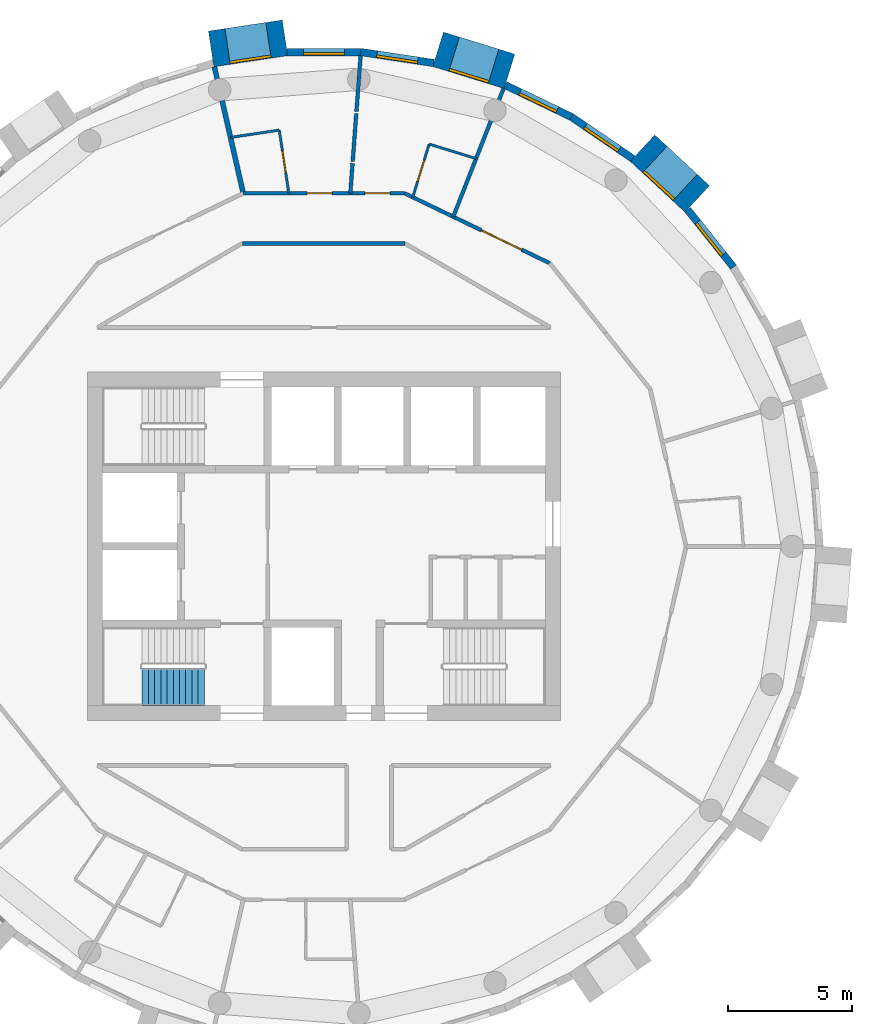
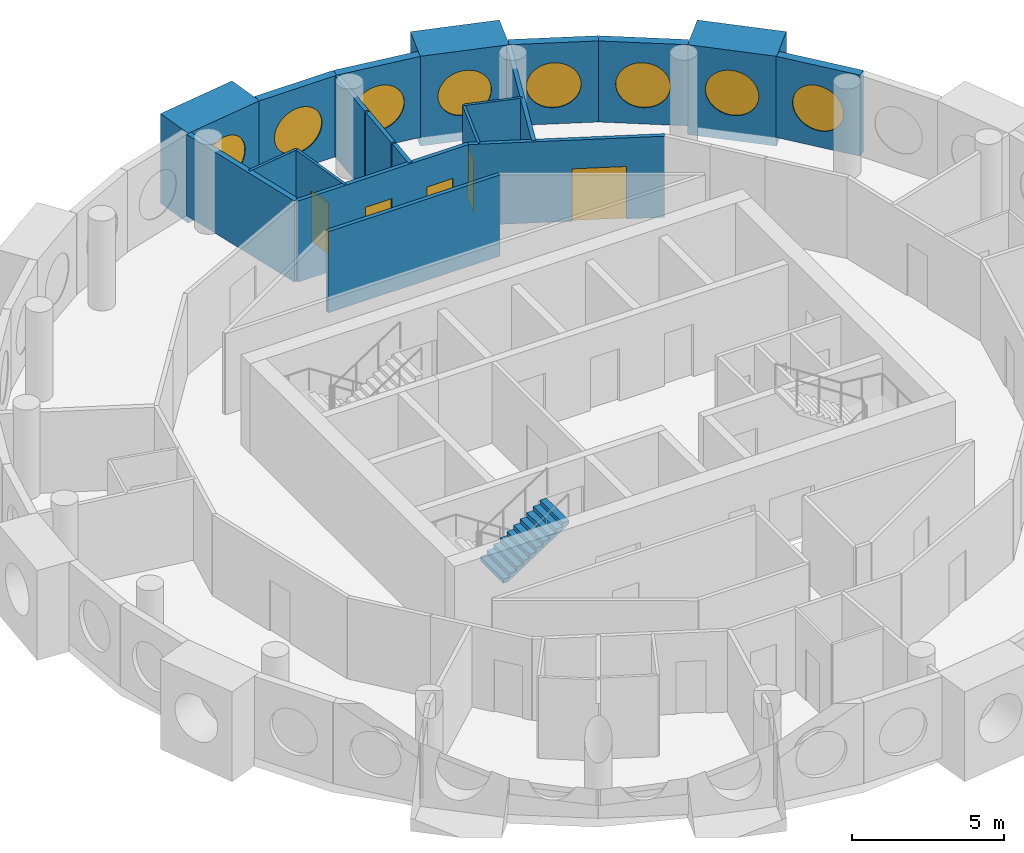
# One storey, part 11 of 13: 20 walls, 8 windows, 5 doors, 1 stair flight, 13 openings, 1 element without a shape of its own.
"""IFC4 building model written with IfcOpenShell, lengths in metres."""

from ifc_helpers import new_model, si_unit, direction, frame, frame_2d, origin, origin_2d, place, context, subcontext, project, spatial, polyline, rectangle, circle, outline, extrude, material, layer, layer_set, type_object, element, fill, aggregate, save


model = new_model("IFC4")

# Units and contexts
model_context = context("Model", 3, precision=1e-05, world=origin(), true_north=direction((0.0, 1.0)))
body_context = subcontext(model_context, "Body", "Model", "MODEL_VIEW")
ifc_project = project(units=[si_unit("LENGTHUNIT", "METRE"), si_unit("AREAUNIT", "SQUARE_METRE"), si_unit("VOLUMEUNIT", "CUBIC_METRE"), si_unit("PLANEANGLEUNIT", "RADIAN"), si_unit("MASSUNIT", "GRAM", prefix="KILO")], contexts=[model_context])

# Site, building, storey
site_placement = place(None, origin())
site = spatial("IfcSite", under=ifc_project, at=site_placement, CompositionType="ELEMENT")
building_placement = place(site_placement, origin())
building = spatial("IfcBuilding", under=site, at=building_placement, Name="Tracery Tower", CompositionType="ELEMENT")
storey_placement = place(building_placement, frame((0.0, 0.0, 298.199951171875)))
storey = spatial("IfcBuildingStorey", under=building, at=storey_placement, Name="L77", CompositionType="ELEMENT", Elevation=298.199951171875)

# Wall, opening, window
ifc_material_1 = material(Name="Precast concrete C50/60", Category="concrete")
ifc_layer_1 = layer(ifc_material_1, 1.449951171875)
ifc_layer_set_1 = layer_set([ifc_layer_1], Name="Deep-set bay unit 3000 x 3600, slab edge 350")
wall_type_1 = type_object("IfcWallType", Name="Deep-set bay unit 3000 x 3600, slab edge 350", PredefinedType="ELEMENTEDWALL", material=ifc_layer_set_1)
wall_1_placement = place(storey_placement, frame((15.0029296875, 13.964111328125, -0.349853515625), z_axis=(0.0, 0.0, 1.0), x_axis=(-0.733022439167, 0.680204457261, 0.0)))
wall_1 = element("IfcWall", 1, at=wall_1_placement, inside=storey, type_object=wall_type_1, Name="Deep-set bay unit 6 at L77", PredefinedType="ELEMENTEDWALL", context=body_context, shape_type="SweptSolid", body=[
    extrude(rectangle(XDim=2.999755859375, YDim=1.449951171875, at=frame_2d((1.5, 0.0))), origin(), (0.0, 0.0, 1.0), 3.599853515625),
])
opening_1_placement = place(wall_1_placement, frame((1.5, 0.0, 1.89990234375)))
opening_1 = element("IfcOpeningElement", 2, at=opening_1_placement, cuts=wall_1, Name="Opening WN1", PredefinedType="OPENING", context=body_context, shape_type="SweptSolid", body=[
    extrude(circle(Radius=0.9000244140625, at=origin_2d()), frame((0.0, 0.73486328125, 0.0), z_axis=(0.0, -1.0, 0.0), x_axis=(1.0, 0.0, 0.0)), (0.0, 0.0, 1.0), 1.469970703125),
])
ifc_material_2 = material(Name="Aluminium frame with tinted double glazing", Category="aluminium")
window_type = type_object("IfcWindowType", Name="Round window 1800", PartitioningType="SINGLE_PANEL", PredefinedType="WINDOW", material=ifc_material_2)
window_1_placement = place(opening_1_placement, origin())
window_1 = element("IfcWindow", 3, at=window_1_placement, inside=storey, type_object=window_type, Name="Round window 6 at L77", OverallHeight=1.800048828125, OverallWidth=1.800048828125, PartitioningType="SINGLE_PANEL", PredefinedType="WINDOW", context=body_context, shape_type="SweptSolid", body=[
    extrude(circle(Radius=0.9000244140625, at=origin_2d()), frame((0.0, 0.69482421875, 0.0), z_axis=(0.0, -1.0, 0.0), x_axis=(1.0, 0.0, 0.0)), (0.0, 0.0, 1.0), 0.10009765625),
])
fill(opening_1, window_1)

wall_2_placement = place(storey_placement, frame((7.45849609375, 19.0908203125, -0.349853515625), z_axis=(0.0, 0.0, 1.0), x_axis=(-0.955571139978, 0.294760574774, 0.0)))
wall_2 = element("IfcWall", 4, at=wall_2_placement, inside=storey, type_object=wall_type_1, Name="Deep-set bay unit 9 at L77", PredefinedType="ELEMENTEDWALL", context=body_context, shape_type="SweptSolid", body=[
    extrude(rectangle(XDim=3.0, YDim=1.449951171875, at=frame_2d((1.5, 0.0))), origin(), (0.0, 0.0, 1.0), 3.599853515625),
])
opening_2_placement = place(wall_2_placement, frame((1.5, 0.0, 1.89990234375)))
opening_2 = element("IfcOpeningElement", 5, at=opening_2_placement, cuts=wall_2, Name="Opening WN1", PredefinedType="OPENING", context=body_context, shape_type="SweptSolid", body=[
    extrude(circle(Radius=0.9000244140625, at=origin_2d()), frame((0.0, 0.73486328125, 0.0), z_axis=(0.0, -1.0, 0.0), x_axis=(1.0, 0.0, 0.0)), (0.0, 0.0, 1.0), 1.469970703125),
])
window_2_placement = place(opening_2_placement, origin())
window_2 = element("IfcWindow", 6, at=window_2_placement, inside=storey, type_object=window_type, Name="Round window 9 at L77", OverallHeight=1.800048828125, OverallWidth=1.800048828125, PartitioningType="SINGLE_PANEL", PredefinedType="WINDOW", context=body_context, shape_type="SweptSolid", body=[
    extrude(circle(Radius=0.9000244140625, at=origin_2d()), frame((0.0, 0.69482421875, 0.0), z_axis=(0.0, -1.0, 0.0), x_axis=(1.0, 0.0, 0.0)), (0.0, 0.0, 1.0), 0.10009765625),
])
fill(opening_2, window_2)

wall_3_placement = place(storey_placement, frame((-1.563232421875, 20.436279296875, -0.349853515625), z_axis=(0.0, 0.0, 1.0), x_axis=(-0.988836445254, -0.149004981587, 0.0)))
wall_3 = element("IfcWall", 7, at=wall_3_placement, inside=storey, type_object=wall_type_1, Name="Deep-set bay unit 12 at L77", PredefinedType="ELEMENTEDWALL", context=body_context, shape_type="SweptSolid", body=[
    extrude(rectangle(XDim=3.0, YDim=1.449951171875, at=frame_2d((1.5, 0.0))), origin(), (0.0, 0.0, 1.0), 3.599853515625),
])
opening_3_placement = place(wall_3_placement, frame((1.5, 0.0, 1.89990234375)))
opening_3 = element("IfcOpeningElement", 8, at=opening_3_placement, cuts=wall_3, Name="Opening WN1", PredefinedType="OPENING", context=body_context, shape_type="SweptSolid", body=[
    extrude(circle(Radius=0.9000244140625, at=origin_2d()), frame((0.0, 0.73486328125, 0.0), z_axis=(0.0, -1.0, 0.0), x_axis=(1.0, 0.0, 0.0)), (0.0, 0.0, 1.0), 1.469970703125),
])
window_3_placement = place(opening_3_placement, origin())
window_3 = element("IfcWindow", 9, at=window_3_placement, inside=storey, type_object=window_type, Name="Round window 12 at L77", OverallHeight=1.800048828125, OverallWidth=1.800048828125, PartitioningType="SINGLE_PANEL", PredefinedType="WINDOW", context=body_context, shape_type="SweptSolid", body=[
    extrude(circle(Radius=0.9000244140625, at=origin_2d()), frame((0.0, 0.69482421875, 0.0), z_axis=(0.0, -1.0, 0.0), x_axis=(1.0, 0.0, 0.0)), (0.0, 0.0, 1.0), 0.10009765625),
])
fill(opening_3, window_3)

ifc_material_3 = material(Name="Precast concrete C50/60", Category="concrete")
ifc_layer_2 = layer(ifc_material_3, 0.300048828125)
ifc_layer_set_2 = layer_set([ifc_layer_2], Name="Facade panel 3000 x 3250")
wall_type_2 = type_object("IfcWallType", Name="Facade panel 3000 x 3250", PredefinedType="SOLIDWALL", material=ifc_layer_set_2)
wall_4_placement = place(storey_placement, frame((16.460205078125, 11.222412109375, 0.0), z_axis=(0.0, 0.0, 1.0), x_axis=(-0.623498236992, 0.781824755599, 0.0)))
wall_4 = element("IfcWall", 10, at=wall_4_placement, inside=storey, type_object=wall_type_2, Name="Facade panel 5 at L77", PredefinedType="SOLIDWALL", context=body_context, shape_type="SweptSolid", body=[
    extrude(rectangle(XDim=2.962158203125, YDim=0.300048828125, at=frame_2d((1.48095703125, 0.0))), origin(), (0.0, 0.0, 1.0), 3.25),
])
opening_4_placement = place(wall_4_placement, frame((1.48095703125, 0.0, 1.5498046875)))
opening_4 = element("IfcOpeningElement", 11, at=opening_4_placement, cuts=wall_4, Name="Opening WN1", PredefinedType="OPENING", context=body_context, shape_type="SweptSolid", body=[
    extrude(circle(Radius=0.9000244140625, at=origin_2d()), frame((0.0, 0.159912109375, 0.0), z_axis=(0.0, -1.0, 0.0), x_axis=(1.0, 0.0, 0.0)), (0.0, 0.0, 1.0), 0.320068359375),
])
window_4_placement = place(opening_4_placement, origin())
window_4 = element("IfcWindow", 12, at=window_4_placement, inside=storey, type_object=window_type, Name="Round window 5 at L77", OverallHeight=1.800048828125, OverallWidth=1.800048828125, PartitioningType="SINGLE_PANEL", PredefinedType="WINDOW", context=body_context, shape_type="SweptSolid", body=[
    extrude(circle(Radius=0.9000244140625, at=origin_2d()), frame((0.0, 0.1201171875, 0.0), z_axis=(0.0, -1.0, 0.0), x_axis=(1.0, 0.0, 0.0)), (0.0, 0.0, 1.0), 0.10009765625),
])
fill(opening_4, window_4)

wall_5_placement = place(storey_placement, frame((12.408447265625, 15.583984375, 0.0), z_axis=(0.0, 0.0, 1.0), x_axis=(-0.826236061068, 0.563324037646, 0.0)))
wall_5 = element("IfcWall", 13, at=wall_5_placement, inside=storey, type_object=wall_type_2, Name="Facade panel 7 at L77", PredefinedType="SOLIDWALL", context=body_context, shape_type="SweptSolid", body=[
    extrude(rectangle(XDim=2.962158203125, YDim=0.300048828125, at=frame_2d((1.48095703125, 0.0))), origin(), (0.0, 0.0, 1.0), 3.25),
])
opening_5_placement = place(wall_5_placement, frame((1.48095703125, 0.0, 1.5498046875)))
opening_5 = element("IfcOpeningElement", 14, at=opening_5_placement, cuts=wall_5, Name="Opening WN1", PredefinedType="OPENING", context=body_context, shape_type="SweptSolid", body=[
    extrude(circle(Radius=0.9000244140625, at=origin_2d()), frame((0.0, 0.159912109375, 0.0), z_axis=(0.0, -1.0, 0.0), x_axis=(1.0, 0.0, 0.0)), (0.0, 0.0, 1.0), 0.320068359375),
])
window_5_placement = place(opening_5_placement, origin())
window_5 = element("IfcWindow", 15, at=window_5_placement, inside=storey, type_object=window_type, Name="Round window 7 at L77", OverallHeight=1.800048828125, OverallWidth=1.800048828125, PartitioningType="SINGLE_PANEL", PredefinedType="WINDOW", context=body_context, shape_type="SweptSolid", body=[
    extrude(circle(Radius=0.9000244140625, at=origin_2d()), frame((0.0, 0.1201171875, 0.0), z_axis=(0.0, -1.0, 0.0), x_axis=(1.0, 0.0, 0.0)), (0.0, 0.0, 1.0), 0.10009765625),
])
fill(opening_5, window_5)

wall_6_placement = place(storey_placement, frame((9.9609375, 17.252685546875, 0.0), z_axis=(0.0, 0.0, 1.0), x_axis=(-0.90095513435, 0.433912255978, 0.0)))
wall_6 = element("IfcWall", 16, at=wall_6_placement, inside=storey, type_object=wall_type_2, Name="Facade panel 8 at L77", PredefinedType="SOLIDWALL", context=body_context, shape_type="SweptSolid", body=[
    extrude(rectangle(XDim=2.96240234375, YDim=0.300048828125, at=frame_2d((1.481201171875, 0.0))), origin(), (0.0, 0.0, 1.0), 3.25),
])
opening_6_placement = place(wall_6_placement, frame((1.48095703125, 0.0, 1.5498046875)))
opening_6 = element("IfcOpeningElement", 17, at=opening_6_placement, cuts=wall_6, Name="Opening WN1", PredefinedType="OPENING", context=body_context, shape_type="SweptSolid", body=[
    extrude(circle(Radius=0.9000244140625, at=origin_2d()), frame((0.0, 0.159912109375, 0.0), z_axis=(0.0, -1.0, 0.0), x_axis=(1.0, 0.0, 0.0)), (0.0, 0.0, 1.0), 0.320068359375),
])
window_6_placement = place(opening_6_placement, origin())
window_6 = element("IfcWindow", 18, at=window_6_placement, inside=storey, type_object=window_type, Name="Round window 8 at L77", OverallHeight=1.800048828125, OverallWidth=1.800048828125, PartitioningType="SINGLE_PANEL", PredefinedType="WINDOW", context=body_context, shape_type="SweptSolid", body=[
    extrude(circle(Radius=0.9000244140625, at=origin_2d()), frame((0.0, 0.1201171875, 0.0), z_axis=(0.0, -1.0, 0.0), x_axis=(1.0, 0.0, 0.0)), (0.0, 0.0, 1.0), 0.10009765625),
])
fill(opening_6, window_6)

wall_7_placement = place(storey_placement, frame((4.41796875, 19.424560546875, 0.0), z_axis=(0.0, 0.0, 1.0), x_axis=(-0.988835775663, 0.149009425104, 0.0)))
wall_7 = element("IfcWall", 19, at=wall_7_placement, inside=storey, type_object=wall_type_2, Name="Facade panel 10 at L77", PredefinedType="SOLIDWALL", context=body_context, shape_type="SweptSolid", body=[
    extrude(rectangle(XDim=2.962158203125, YDim=0.300048828125, at=frame_2d((1.48095703125, 0.0))), origin(), (0.0, 0.0, 1.0), 3.25),
])
opening_7_placement = place(wall_7_placement, frame((1.48095703125, 0.0, 1.5498046875)))
opening_7 = element("IfcOpeningElement", 20, at=opening_7_placement, cuts=wall_7, Name="Opening WN1", PredefinedType="OPENING", context=body_context, shape_type="SweptSolid", body=[
    extrude(circle(Radius=0.9000244140625, at=origin_2d()), frame((0.0, 0.159912109375, 0.0), z_axis=(0.0, -1.0, 0.0), x_axis=(1.0, 0.0, 0.0)), (0.0, 0.0, 1.0), 0.320068359375),
])
window_7_placement = place(opening_7_placement, origin())
window_7 = element("IfcWindow", 21, at=window_7_placement, inside=storey, type_object=window_type, Name="Round window 10 at L77", OverallHeight=1.800048828125, OverallWidth=1.800048828125, PartitioningType="SINGLE_PANEL", PredefinedType="WINDOW", context=body_context, shape_type="SweptSolid", body=[
    extrude(circle(Radius=0.9000244140625, at=origin_2d()), frame((0.0, 0.1201171875, 0.0), z_axis=(0.0, -1.0, 0.0), x_axis=(1.0, 0.0, 0.0)), (0.0, 0.0, 1.0), 0.10009765625),
])
fill(opening_7, window_7)

wall_8_placement = place(storey_placement, frame((1.48876953125, 19.865966796875, 0.0), z_axis=(0.0, 0.0, 1.0), x_axis=(-1.0, 0.0, 0.0)))
wall_8 = element("IfcWall", 22, at=wall_8_placement, inside=storey, type_object=wall_type_2, Name="Facade panel 11 at L77", PredefinedType="SOLIDWALL", context=body_context, shape_type="SweptSolid", body=[
    extrude(rectangle(XDim=2.962158203125, YDim=0.300048828125, at=frame_2d((1.48095703125, 0.0))), origin(), (0.0, 0.0, 1.0), 3.25),
])
opening_8_placement = place(wall_8_placement, frame((1.48095703125, 0.0, 1.5498046875)))
opening_8 = element("IfcOpeningElement", 23, at=opening_8_placement, cuts=wall_8, Name="Opening WN1", PredefinedType="OPENING", context=body_context, shape_type="SweptSolid", body=[
    extrude(circle(Radius=0.9000244140625, at=origin_2d()), frame((0.0, 0.159912109375, 0.0), z_axis=(0.0, -1.0, 0.0), x_axis=(1.0, 0.0, 0.0)), (0.0, 0.0, 1.0), 0.320068359375),
])
window_8_placement = place(opening_8_placement, origin())
window_8 = element("IfcWindow", 24, at=window_8_placement, inside=storey, type_object=window_type, Name="Round window 11 at L77", OverallHeight=1.800048828125, OverallWidth=1.800048828125, PartitioningType="SINGLE_PANEL", PredefinedType="WINDOW", context=body_context, shape_type="SweptSolid", body=[
    extrude(circle(Radius=0.9000244140625, at=origin_2d()), frame((0.0, 0.1201171875, 0.0), z_axis=(0.0, -1.0, 0.0), x_axis=(1.0, 0.0, 0.0)), (0.0, 0.0, 1.0), 0.10009765625),
])
fill(opening_8, window_8)

# Wall
ifc_material_4 = material(Name="Plasterboard on steel studs", Category="steel")
ifc_layer_3 = layer(ifc_material_4, 0.10009765625)
ifc_layer_set_3 = layer_set([ifc_layer_3], Name="Partition 100 wet wall")
wall_type_3 = type_object("IfcWallType", Name="Partition 100 wet wall", PredefinedType="PARTITIONING", material=ifc_layer_set_3)
wall_9_placement = place(storey_placement, frame((4.23095703125, 16.166015625, 0.0), z_axis=(0.0, 0.0, 1.0), x_axis=(0.955671951668, -0.294433559219, 0.0)))
element("IfcWall", 25, at=wall_9_placement, inside=storey, type_object=wall_type_3, Name="Wet wall RC7-048", PredefinedType="PARTITIONING", context=body_context, shape_type="SweptSolid", body=[
    extrude(rectangle(XDim=1.973388671875, YDim=0.10009765625, at=frame_2d((0.98681640625, 0.0))), origin(), (0.0, 0.0, 1.0), 3.25),
])

# Wall, opening, door
wall_10_placement = place(storey_placement, frame((3.572021484375, 14.031982421875, 0.0), z_axis=(0.0, 0.0, 1.0), x_axis=(0.295030507093, 0.955487833457, 0.0)))
wall_10 = element("IfcWall", 26, at=wall_10_placement, inside=storey, type_object=wall_type_3, Name="Wet wall RC7-049", PredefinedType="PARTITIONING", context=body_context, shape_type="SweptSolid", body=[
    extrude(rectangle(XDim=2.2333984375, YDim=0.10009765625, at=frame_2d((1.11669921875, 0.0))), origin(), (0.0, 0.0, 1.0), 3.25),
])
opening_9_placement = place(wall_10_placement, frame((0.66650390625, 0.0, 0.0)))
opening_9 = element("IfcOpeningElement", 27, at=opening_9_placement, cuts=wall_10, Name="Opening RC7-07", PredefinedType="OPENING", context=body_context, shape_type="SweptSolid", body=[
    extrude(rectangle(XDim=0.89990234375, YDim=2.0400390625, at=frame_2d((0.449951171875, 1.02001953125))), frame((0.0, 0.050048828125, 0.0), z_axis=(0.0, -1.0, 0.0), x_axis=(1.0, 0.0, 0.0)), (0.0, 0.0, 1.0), 0.10009765625),
])
ifc_material_5 = material(Name="Timber door leaf", Category="wood")
door_type_1 = type_object("IfcDoorType", Name="Door en-suite 900", OperationType="NOTDEFINED", PredefinedType="DOOR", material=ifc_material_5)
door_1_placement = place(opening_9_placement, origin())
door_1 = element("IfcDoor", 28, at=door_1_placement, inside=storey, type_object=door_type_1, Name="En-suite door RC7-07", OperationType="SINGLE_SWING_RIGHT", OverallHeight=2.0400390625, OverallWidth=0.89990234375, PredefinedType="DOOR", context=body_context, shape_type="SweptSolid", body=[
    extrude(rectangle(XDim=0.89990234375, YDim=2.0400390625, at=frame_2d((0.449951171875, 1.02001953125))), frame((0.0, 0.02490234375, 0.0), z_axis=(0.0, -1.0, 0.0), x_axis=(1.0, 0.0, 0.0)), (0.0, 0.0, 1.0), 0.050048828125),
])
fill(opening_9, door_1)

wall_11_placement = place(storey_placement, frame((-1.791015625, 16.72900390625, 0.0), z_axis=(0.0, 0.0, 1.0), x_axis=(0.149289553133, -0.988793522089, 0.0)))
wall_11 = element("IfcWall", 29, at=wall_11_placement, inside=storey, type_object=wall_type_3, Name="Wet wall RC7-053", PredefinedType="PARTITIONING", context=body_context, shape_type="SweptSolid", body=[
    extrude(rectangle(XDim=2.56591796875, YDim=0.10009765625, at=frame_2d((1.282958984375, 0.0))), origin(), (0.0, 0.0, 1.0), 3.25),
])
opening_10_placement = place(wall_11_placement, frame((0.832763671875, 0.0, 0.0)))
opening_10 = element("IfcOpeningElement", 30, at=opening_10_placement, cuts=wall_11, Name="Opening RC7-09", PredefinedType="OPENING", context=body_context, shape_type="SweptSolid", body=[
    extrude(rectangle(XDim=0.89990234375, YDim=2.0400390625, at=frame_2d((0.449951171875, 1.02001953125))), frame((0.0, 0.050048828125, 0.0), z_axis=(0.0, -1.0, 0.0), x_axis=(1.0, 0.0, 0.0)), (0.0, 0.0, 1.0), 0.10009765625),
])
door_2_placement = place(opening_10_placement, origin())
door_2 = element("IfcDoor", 31, at=door_2_placement, inside=storey, type_object=door_type_1, Name="En-suite door RC7-09", OperationType="SINGLE_SWING_RIGHT", OverallHeight=2.0400390625, OverallWidth=0.89990234375, PredefinedType="DOOR", context=body_context, shape_type="SweptSolid", body=[
    extrude(rectangle(XDim=0.89990234375, YDim=2.0400390625, at=frame_2d((0.449951171875, 1.02001953125))), frame((0.0, 0.02490234375, 0.0), z_axis=(0.0, -1.0, 0.0), x_axis=(1.0, 0.0, 0.0)), (0.0, 0.0, 1.0), 0.050048828125),
])
fill(opening_10, door_2)

# Walls
wall_12_placement = place(storey_placement, frame((-3.7509765625, 16.43408203125, 0.0), z_axis=(0.0, 0.0, 1.0), x_axis=(0.988867580828, 0.148798210967, 0.0)))
element("IfcWall", 32, at=wall_12_placement, inside=storey, type_object=wall_type_3, Name="Wet wall RC7-054", PredefinedType="PARTITIONING", context=body_context, shape_type="SweptSolid", body=[
    extrude(rectangle(XDim=1.98193359375, YDim=0.10009765625, at=frame_2d((0.990966796875, 0.0))), origin(), (0.0, 0.0, 1.0), 3.25),
])
ifc_material_6 = material(Name="Plasterboard on steel studs", Category="steel")
ifc_layer_4 = layer(ifc_material_6, 0.14990234375)
ifc_layer_set_4 = layer_set([ifc_layer_4], Name="Partition 150 acoustic unit wall")
wall_type_4 = type_object("IfcWallType", Name="Partition 150 acoustic unit wall", PredefinedType="PARTITIONING", material=ifc_layer_set_4)
wall_13_placement = place(storey_placement, frame((5.19970703125, 13.247802734375, 0.0), z_axis=(0.0, 0.0, 1.0), x_axis=(0.365205108582, 0.930927080209, 0.0)))
element("IfcWall", 33, at=wall_13_placement, inside=storey, type_object=wall_type_4, Name="Unit wall RC7-047", PredefinedType="PARTITIONING", context=body_context, shape_type="SweptSolid", body=[
    extrude(rectangle(XDim=5.539794921875, YDim=0.14990234375, at=frame_2d((2.77001953125, 0.0))), origin(), (0.0, 0.0, 1.0), 3.25),
])
wall_14_placement = place(storey_placement, frame((1.06396484375, 14.19189453125, 0.0), z_axis=(0.0, 0.0, 1.0), x_axis=(0.074608991733, 0.997212865116, 0.0)))
element("IfcWall", 34, at=wall_14_placement, inside=storey, type_object=wall_type_4, Name="Unit wall RC7-050", PredefinedType="PARTITIONING", context=body_context, shape_type="SweptSolid", body=[
    extrude(rectangle(XDim=1.20751953125, YDim=0.14990234375, at=frame_2d((0.603759765625, 0.0))), origin(), (0.0, 0.0, 1.0), 3.25),
])
wall_15_placement = place(storey_placement, frame((1.30908203125, 17.472900390625, 0.0), z_axis=(0.0, 0.0, 1.0), x_axis=(0.075102921739, 0.997175787485, 0.0)))
element("IfcWall", 35, at=wall_15_placement, inside=storey, type_object=wall_type_4, Name="Unit wall RC7-051", PredefinedType="PARTITIONING", context=body_context, shape_type="SweptSolid", body=[
    extrude(rectangle(XDim=2.24951171875, YDim=0.14990234375, at=frame_2d((1.124755859375, 0.0))), origin(), (0.0, 0.0, 1.0), 3.25),
])
wall_16_placement = place(storey_placement, frame((1.159912109375, 15.472900390625, 0.0), z_axis=(0.0, 0.0, 1.0), x_axis=(0.074188791375, 0.99724421444, 0.0)))
element("IfcWall", 36, at=wall_16_placement, inside=storey, type_object=wall_type_4, Name="Unit wall RC7-052", PredefinedType="PARTITIONING", context=body_context, shape_type="SweptSolid", body=[
    extrude(rectangle(XDim=1.928466796875, YDim=0.14990234375, at=frame_2d((0.96435546875, 0.0))), origin(), (0.0, 0.0, 1.0), 3.25),
])
ifc_material_7 = material(Name="Plasterboard on steel studs", Category="steel")
ifc_layer_5 = layer(ifc_material_7, 0.14990234375)
ifc_layer_set_5 = layer_set([ifc_layer_5], Name="Partition 150 corridor wall")
wall_type_5 = type_object("IfcWallType", Name="Partition 150 corridor wall", PredefinedType="PARTITIONING", material=ifc_layer_set_5)
wall_17_placement = place(storey_placement, frame((-3.260986328125, 12.1708984375, 0.0), z_axis=(0.0, 0.0, 1.0), x_axis=(1.0, 0.0, 0.0)))
element("IfcWall", 37, at=wall_17_placement, inside=storey, type_object=wall_type_5, Name="Corridor wall RC7-025", PredefinedType="PARTITIONING", context=body_context, shape_type="SweptSolid", body=[
    extrude(rectangle(XDim=6.52197265625, YDim=0.14990234375, at=frame_2d((3.260986328125, 0.0))), origin(), (0.0, 0.0, 1.0), 3.25),
])

# Wall, opening, door
wall_18_placement = place(storey_placement, frame((3.239013671875, 14.19189453125, 0.0), z_axis=(0.0, 0.0, 1.0), x_axis=(0.900976027191, -0.433868872388, 0.0)))
wall_18 = element("IfcWall", 38, at=wall_18_placement, inside=storey, type_object=wall_type_5, Name="Corridor wall RC7-026", PredefinedType="PARTITIONING", context=body_context, shape_type="SweptSolid", body=[
    extrude(rectangle(XDim=6.478515625, YDim=0.14990234375, at=frame_2d((3.2392578125, 0.0))), origin(), (0.0, 0.0, 1.0), 3.25),
])
opening_11_placement = place(wall_18_placement, frame((3.425048828125, 0.0, 0.0)))
opening_11 = element("IfcOpeningElement", 39, at=opening_11_placement, cuts=wall_18, Name="Opening RC7-06", PredefinedType="OPENING", context=body_context, shape_type="SweptSolid", body=[
    extrude(rectangle(XDim=1.800048828125, YDim=2.10009765625, at=frame_2d((0.89990234375, 1.050048828125))), frame((0.0, 0.074951171875, 0.0), z_axis=(0.0, -1.0, 0.0), x_axis=(1.0, 0.0, 0.0)), (0.0, 0.0, 1.0), 0.14990234375),
])
ifc_material_8 = material(Name="Timber door leaf", Category="wood")
door_type_2 = type_object("IfcDoorType", Name="Door double lounge 1800", OperationType="NOTDEFINED", PredefinedType="DOOR", material=ifc_material_8)
door_3_placement = place(opening_11_placement, origin())
door_3 = element("IfcDoor", 40, at=door_3_placement, inside=storey, type_object=door_type_2, Name="Double lounge door RC7-06", OperationType="DOUBLE_DOOR_SINGLE_SWING", OverallHeight=2.10009765625, OverallWidth=1.800048828125, PredefinedType="DOOR", context=body_context, shape_type="SweptSolid", body=[
    extrude(rectangle(XDim=1.800048828125, YDim=2.10009765625, at=frame_2d((0.89990234375, 1.050048828125))), frame((0.0, 0.02490234375, 0.0), z_axis=(0.0, -1.0, 0.0), x_axis=(1.0, 0.0, 0.0)), (0.0, 0.0, 1.0), 0.050048828125),
])
fill(opening_11, door_3)

# Wall, openings, doors
wall_19_placement = place(storey_placement, frame((-3.239013671875, 14.19189453125, 0.0), z_axis=(0.0, 0.0, 1.0), x_axis=(1.0, 0.0, 0.0)))
wall_19 = element("IfcWall", 41, at=wall_19_placement, inside=storey, type_object=wall_type_5, Name="Corridor wall RC7-028", PredefinedType="PARTITIONING", context=body_context, shape_type="SweptSolid", body=[
    extrude(rectangle(XDim=6.47802734375, YDim=0.14990234375, at=frame_2d((3.239013671875, 0.0))), origin(), (0.0, 0.0, 1.0), 3.25),
])
opening_12_placement = place(wall_19_placement, frame((4.887939453125, 0.0, 0.0)))
opening_12 = element("IfcOpeningElement", 42, at=opening_12_placement, cuts=wall_19, Name="Opening RC7-08", PredefinedType="OPENING", context=body_context, shape_type="SweptSolid", body=[
    extrude(rectangle(XDim=1.0, YDim=2.10009765625, at=frame_2d((0.5, 1.050048828125))), frame((0.0, 0.074951171875, 0.0), z_axis=(0.0, -1.0, 0.0), x_axis=(1.0, 0.0, 0.0)), (0.0, 0.0, 1.0), 0.14990234375),
])
opening_13_placement = place(wall_19_placement, frame((2.56689453125, 0.0, 0.0)))
opening_13 = element("IfcOpeningElement", 43, at=opening_13_placement, cuts=wall_19, Name="Opening RC7-10", PredefinedType="OPENING", context=body_context, shape_type="SweptSolid", body=[
    extrude(rectangle(XDim=1.0, YDim=2.10009765625, at=frame_2d((0.5, 1.050048828125))), frame((0.0, 0.074951171875, 0.0), z_axis=(0.0, -1.0, 0.0), x_axis=(1.0, 0.0, 0.0)), (0.0, 0.0, 1.0), 0.14990234375),
])
ifc_material_9 = material(Name="Timber door leaf", Category="wood")
door_type_3 = type_object("IfcDoorType", Name="Door unit entrance 1000", OperationType="NOTDEFINED", PredefinedType="DOOR", material=ifc_material_9)
door_4_placement = place(opening_12_placement, origin())
door_4 = element("IfcDoor", 44, at=door_4_placement, inside=storey, type_object=door_type_3, Name="Unit entrance door RC7-08", OperationType="SINGLE_SWING_LEFT", OverallHeight=2.10009765625, OverallWidth=1.0, PredefinedType="DOOR", context=body_context, shape_type="SweptSolid", body=[
    extrude(rectangle(XDim=1.0, YDim=2.10009765625, at=frame_2d((0.5, 1.050048828125))), frame((0.0, 0.02490234375, 0.0), z_axis=(0.0, -1.0, 0.0), x_axis=(1.0, 0.0, 0.0)), (0.0, 0.0, 1.0), 0.050048828125),
])
fill(opening_12, door_4)
door_5_placement = place(opening_13_placement, origin())
door_5 = element("IfcDoor", 45, at=door_5_placement, inside=storey, type_object=door_type_3, Name="Unit entrance door RC7-10", OperationType="SINGLE_SWING_RIGHT", OverallHeight=2.10009765625, OverallWidth=1.0, PredefinedType="DOOR", context=body_context, shape_type="SweptSolid", body=[
    extrude(rectangle(XDim=1.0, YDim=2.10009765625, at=frame_2d((0.5, 1.050048828125))), frame((0.0, 0.02490234375, 0.0), z_axis=(0.0, -1.0, 0.0), x_axis=(1.0, 0.0, 0.0)), (0.0, 0.0, 1.0), 0.050048828125),
])
fill(opening_13, door_5)

# Wall
ifc_material_10 = material(Name="Plasterboard on steel studs", Category="steel")
ifc_layer_6 = layer(ifc_material_10, 0.199951171875)
ifc_layer_set_6 = layer_set([ifc_layer_6], Name="Partition 200 compartment wall")
wall_type_6 = type_object("IfcWallType", Name="Partition 200 compartment wall", PredefinedType="PARTITIONING", material=ifc_layer_set_6)
wall_20_placement = place(storey_placement, frame((-4.39990234375, 19.27587890625, 0.0), z_axis=(0.0, 0.0, 1.0), x_axis=(0.222612505682, -0.974907007008, 0.0)))
element("IfcWall", 46, at=wall_20_placement, inside=storey, type_object=wall_type_6, Name="Compartment wall RC7-055", PredefinedType="PARTITIONING", context=body_context, shape_type="SweptSolid", body=[
    extrude(rectangle(XDim=5.21484375, YDim=0.199951171875, at=frame_2d((2.607421875, 0.0))), origin(), (0.0, 0.0, 1.0), 3.25),
])

# Stair, stair flight
ifc_material_11 = material(Name="Concrete C32/40", Category="concrete")
stair_type = type_object("IfcStairType", Name="Core stair 22 risers", PredefinedType="HALF_TURN_STAIR", material=ifc_material_11)
stair_placement = place(storey_placement, origin())
stair = element("IfcStair", 47, at=stair_placement, inside=storey, type_object=stair_type, Name="L77 stair ST1", PredefinedType="HALF_TURN_STAIR")
ifc_material_12 = material(Name="Concrete C32/40", Category="concrete")
stair_flight_type = type_object("IfcStairFlightType", Name="Core stair flight 11 risers", PredefinedType="STRAIGHT", material=ifc_material_12)
stair_flight_placement = place(storey_placement, frame((-7.300048828125, -5.64990234375, 1.800048828125), z_axis=(0.0, 0.0, 1.0), x_axis=(1.0, 0.0, 0.0)))
stair_flight = element("IfcStairFlight", 48, at=stair_flight_placement, type_object=stair_flight_type, Name="ST1 flight 2", NumberOfRisers=11, NumberOfTreads=10, PredefinedType="STRAIGHT", RiserHeight=0.163636364, TreadLength=0.25, context=body_context, shape_type="SweptSolid", body=[
    extrude(outline(polyline([(0.0, 0.0), (0.0, 0.002685546875), (0.0, 0.00537109375), (0.0, 0.008056640625), (0.0, 0.0107421875), (0.0, 0.013427734375), (0.0, 0.01611328125), (0.0, 0.018798828125), (0.0, 0.021484375), (0.0, 0.024169921875), (0.0, 0.02685546875), (0.0, 0.029541015625), (0.0, 0.0322265625), (0.0, 0.034912109375), (0.0, 0.03759765625), (0.0, 0.040283203125), (0.0, 0.04296875), (0.0, 0.045654296875), (0.0, 0.04833984375), (0.0, 0.051025390625), (0.0, 0.0537109375), (0.0, 0.056396484375), (0.0, 0.05908203125), (0.0, 0.061767578125), (0.0, 0.064453125), (0.0, 0.067138671875), (0.0, 0.06982421875), (0.0, 0.072509765625), (0.0, 0.0751953125), (0.0, 0.077880859375), (0.0, 0.08056640625), (0.0, 0.083251953125), (0.0, 0.0859375), (0.0, 0.088623046875), (0.0, 0.09130859375), (0.0, 0.093994140625), (0.0, 0.0966796875), (0.0, 0.099365234375), (0.0, 0.10205078125), (0.0, 0.104736328125), (0.0, 0.107421875), (0.0, 0.10986328125), (0.0, 0.112548828125), (0.0, 0.115234375), (0.0, 0.117919921875), (0.0, 0.12060546875), (0.0, 0.123291015625), (0.0, 0.1259765625), (0.0, 0.128662109375), (0.0, 0.13134765625), (0.0, 0.134033203125), (0.0, 0.13671875), (0.0, 0.139404296875), (0.0, 0.14208984375), (0.0, 0.144775390625), (0.0, 0.1474609375), (0.0, 0.150146484375), (0.0, 0.15283203125), (0.0, 0.155517578125), (0.0, 0.158203125), (0.0, 0.160888671875), (0.0, 0.16357421875), (0.25, 0.16357421875), (0.25, 0.327392578125), (0.5, 0.327392578125), (0.5, 0.490966796875), (0.75, 0.490966796875), (0.75, 0.654541015625), (1.0, 0.654541015625), (1.0, 0.818115234375), (1.25, 0.818115234375), (1.25, 0.98193359375), (1.5, 0.98193359375), (1.5, 1.1455078125), (1.75, 1.1455078125), (1.75, 1.30908203125), (2.0, 1.30908203125), (2.0, 1.47265625), (2.25, 1.47265625), (2.25, 1.636474609375), (2.5, 1.636474609375), (2.5, 1.634521484375), (2.5, 1.63232421875), (2.5, 1.63037109375), (2.5, 1.62841796875), (2.5, 1.62646484375), (2.5, 1.62451171875), (2.5, 1.62255859375), (2.5, 1.62060546875), (2.5, 1.61865234375), (2.5, 1.61669921875), (2.5, 1.61474609375), (2.5, 1.61279296875), (2.5, 1.61083984375), (2.5, 1.60888671875), (2.5, 1.60693359375), (2.5, 1.60498046875), (2.5, 1.60302734375), (2.5, 1.60107421875), (2.5, 1.59912109375), (2.5, 1.59716796875), (2.5, 1.59521484375), (2.5, 1.59326171875), (2.5, 1.59130859375), (2.5, 1.58935546875), (2.5, 1.58740234375), (2.5, 1.58544921875), (2.5, 1.58349609375), (2.5, 1.58154296875), (2.5, 1.57958984375), (2.5, 1.57763671875), (2.5, 1.57568359375), (2.5, 1.573486328125), (2.5, 1.571533203125), (2.5, 1.569580078125), (2.5, 1.567626953125), (2.5, 1.565673828125), (2.5, 1.563720703125), (2.5, 1.561767578125), (2.5, 1.559814453125), (2.5, 1.557861328125), (2.5, 1.555908203125), (2.5, 1.553955078125), (2.5, 1.552001953125), (2.5, 1.550048828125), (2.5, 1.548095703125), (2.5, 1.546142578125), (2.5, 1.544189453125), (2.5, 1.542236328125), (2.5, 1.540283203125), (2.5, 1.538330078125), (2.5, 1.536376953125), (2.5, 1.534423828125), (2.5, 1.532470703125), (2.5, 1.530517578125), (2.5, 1.528564453125), (2.5, 1.526611328125), (2.5, 1.524658203125), (2.5, 1.522705078125), (2.5, 1.520751953125), (2.5, 1.518798828125), (2.5, 1.516845703125), (0.182861328125, 0.0), (0.0, 0.0)])), frame((0.0, 0.75, 0.0), z_axis=(0.0, -1.0, 0.0), x_axis=(1.0, 0.0, 0.0)), (0.0, 0.0, 1.0), 1.5),
])
aggregate(stair, [stair_flight])

save(model, "model.ifc")
